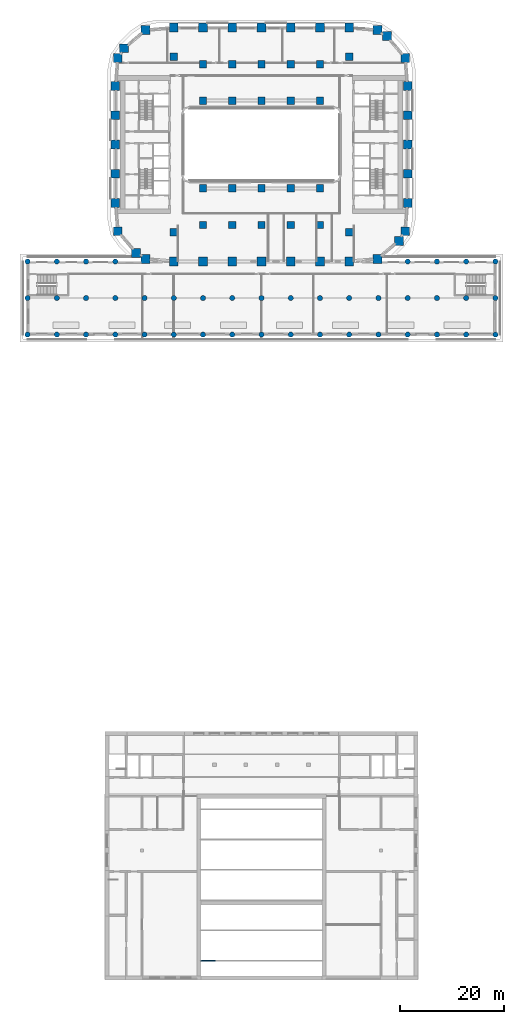
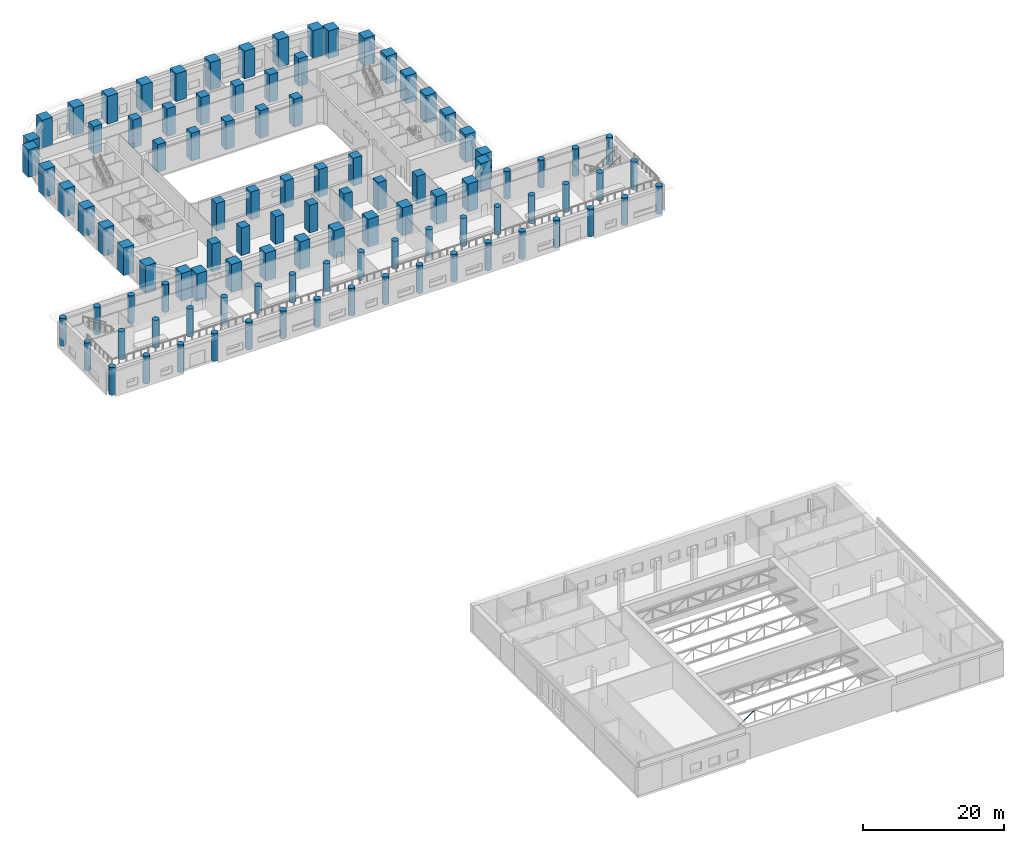
# One storey, part 2 of 35: 102 columns, 1 member.
"""IFC4 building model written with IfcOpenShell, lengths in metres."""

import ifcopenshell
import ifcopenshell.guid

model = None  # the IFC model being written
_history = None  # IfcOwnerHistory: only IFC2X3 demands one
_inside = {}  # id of a spatial element -> (the spatial element, [elements in it])
_under = {}  # id of a project, library or spatial element -> (it, [spatial elements below it])
_declared = {}  # id of a project -> (the project, [libraries it declares])
_typed = {}  # id of a type object -> (the type object, [elements of that type])
_made_of = {}  # id of a material, layer set ... -> (it, [elements and type objects made of it])


def new_model(schema):
    """Start an empty IFC model of exactly this schema.

    Asked for "IFC4X3", IfcOpenShell would pick the latest addendum, in which some entities
    have other attributes; the version numbers below select the first issue.
    IFC2X3 requires an IfcOwnerHistory on every rooted entity: one is made here for all.
    """
    global model, _history
    if schema == "IFC4X3":
        model = ifcopenshell.file(schema_version=(4, 3, 0, 0))
    else:
        model = ifcopenshell.file(schema=schema)
    _inside.clear()
    _under.clear()
    _declared.clear()
    _typed.clear()
    _made_of.clear()
    _history = None
    if model.schema == "IFC2X3":
        org = make("IfcOrganization", Name="unknown")
        user = make(
            "IfcPersonAndOrganization",
            ThePerson=make("IfcPerson", FamilyName="unknown"),
            TheOrganization=org,
        )
        app = make(
            "IfcApplication",
            ApplicationDeveloper=org,
            Version="unknown",
            ApplicationFullName="unknown",
            ApplicationIdentifier="unknown",
        )
        _history = make(
            "IfcOwnerHistory",
            OwningUser=user,
            OwningApplication=app,
            ChangeAction="ADDED",
            CreationDate=0,
        )
    return model


def make(cls, **values):
    """One entity of the class cls with the attributes given. An attribute that is None is left unset."""
    return model.create_entity(
        cls, **{name: value for name, value in values.items() if value is not None}
    )


def rooted(cls, **values):
    """An entity with a GlobalId (a new one), such as an element, a storey or a relation."""
    return make(cls, GlobalId=ifcopenshell.guid.new(), OwnerHistory=_history, **values)


def si_unit(unit_type, name, prefix=None):
    """IfcSIUnit, for example si_unit("LENGTHUNIT", "METRE", prefix="MILLI")."""
    return make("IfcSIUnit", UnitType=unit_type, Prefix=prefix, Name=name)


def assignment(units):
    """IfcUnitAssignment: the units of a project."""
    return None if units is None else make("IfcUnitAssignment", Units=units)


def point(xyz):
    """IfcCartesianPoint."""
    return None if xyz is None else make("IfcCartesianPoint", Coordinates=xyz)


def direction(xyz):
    """IfcDirection."""
    return None if xyz is None else make("IfcDirection", DirectionRatios=xyz)


def frame(location, z_axis=None, x_axis=None):
    """IfcAxis2Placement3D, a coordinate frame: its origin and axes. An axis left out is left unset."""
    return make(
        "IfcAxis2Placement3D",
        Location=point(location),
        Axis=direction(z_axis),
        RefDirection=direction(x_axis),
    )


def frame_2d(location, x_axis=None):
    """IfcAxis2Placement2D, a coordinate frame in the plane: its origin and x axis."""
    return make(
        "IfcAxis2Placement2D", Location=point(location), RefDirection=direction(x_axis)
    )


def origin():
    """The frame at (0, 0, 0) with its axes left unset."""
    return frame((0.0, 0.0, 0.0))


def origin_2d():
    """The frame at (0, 0) in the plane with its x axis left unset."""
    return frame_2d((0.0, 0.0))


def place(relative_to, where):
    """IfcLocalPlacement: puts the frame where relative to a parent placement (None: the world)."""
    return make(
        "IfcLocalPlacement", PlacementRelTo=relative_to, RelativePlacement=where
    )


def context(
    kind, dimensions, precision=None, world=None, true_north=None, identifier=None
):
    """IfcGeometricRepresentationContext, for example the 3D "Model" context."""
    return make(
        "IfcGeometricRepresentationContext",
        ContextIdentifier=identifier,
        ContextType=kind,
        CoordinateSpaceDimension=dimensions,
        Precision=precision,
        WorldCoordinateSystem=world,
        TrueNorth=true_north,
    )


def subcontext(parent, identifier, kind, view, scale=None):
    """IfcGeometricRepresentationSubContext, for example "Body" below "Model"."""
    return make(
        "IfcGeometricRepresentationSubContext",
        ContextIdentifier=identifier,
        ContextType=kind,
        ParentContext=parent,
        TargetScale=scale,
        TargetView=view,
    )


def project(units=None, contexts=None):
    """IfcProject with its units and contexts."""
    return rooted(
        "IfcProject",
        Name="project",
        RepresentationContexts=contexts,
        UnitsInContext=assignment(units),
    )


def spatial(cls, under=None, at=None, **own):
    """A site, building, storey or space (cls), placed at a placement, below another one or the project."""
    s = rooted(cls, ObjectPlacement=at, **own)
    if under is not None:
        _under.setdefault(under.id(), (under, []))[1].append(s)
    return s


def profile(cls, at=None, kind="AREA", **sizes):
    """A parametric profile (cls). Its sizes go by their IFC names, for example OverallWidth=200.0."""
    return make(cls, ProfileType=kind, Position=at, **sizes)


def rectangle(**sizes):
    """IfcRectangleProfileDef."""
    return profile("IfcRectangleProfileDef", **sizes)


def circle(**sizes):
    """IfcCircleProfileDef."""
    return profile("IfcCircleProfileDef", **sizes)


def hollow_circle(**sizes):
    """IfcCircleHollowProfileDef."""
    return profile("IfcCircleHollowProfileDef", **sizes)


def extrude(swept, where, along, depth):
    """IfcExtrudedAreaSolid: the profile swept, set in the frame where, extruded along a direction by depth."""
    return make(
        "IfcExtrudedAreaSolid",
        SweptArea=swept,
        Position=where,
        ExtrudedDirection=direction(along),
        Depth=depth,
    )


def shape(context_of_items, identifier, shape_type, items):
    """IfcShapeRepresentation: the items that make up one representation, for example the "Body"."""
    return make(
        "IfcShapeRepresentation",
        ContextOfItems=context_of_items,
        RepresentationIdentifier=identifier,
        RepresentationType=shape_type,
        Items=items,
    )


def material(Name=None, Category=None):
    """IfcMaterial."""
    return make("IfcMaterial", Name=Name, Category=Category)


def material_profile(
    of_material, cross_section, Name=None, Category=None, Priority=None
):
    """IfcMaterialProfile: a cross section and its material."""
    return make(
        "IfcMaterialProfile",
        Name=Name,
        Material=of_material,
        Profile=cross_section,
        Priority=Priority,
        Category=Category,
    )


def profile_set(profiles, Name=None, composite=None):
    """IfcMaterialProfileSet."""
    return make(
        "IfcMaterialProfileSet",
        Name=Name,
        MaterialProfiles=profiles,
        CompositeProfile=composite,
    )


def made_of(thing, what):
    """Note that an element or type object is made of a material, layer set ...; save() writes the relation."""
    if what is not None:
        _made_of.setdefault(what.id(), (what, []))[1].append(thing)
    return thing


def type_object(cls, material=None, **own):
    """A type object (cls), such as IfcWallType, which elements share."""
    return made_of(rooted(cls, **own), material)


def element(
    cls,
    number,
    at=None,
    inside=None,
    cuts=None,
    type_object=None,
    material=None,
    context=None,
    identifier="Body",
    shape_type=None,
    held_by="IfcProductDefinitionShape",
    body=None,
    shapes=None,
    **own,
):
    """One element of the class cls, such as IfcWall. Its Tag is "e" and its number.

    at: its placement. inside: the storey or other place that contains it. cuts: it is an
    opening in that element (IfcRelVoidsElement). A single representation is given by context,
    identifier, shape_type and body (its items); several are given by shapes. held_by: the class
    of the entity that holds the representations. save() writes the other relations.
    """
    e = rooted(cls, Tag="e%d" % number, ObjectPlacement=at, **own)
    if body is not None:
        shapes = [shape(context, identifier, shape_type, body)]
    if shapes is not None:
        e.Representation = make(held_by, Representations=shapes)
    if inside is not None:
        _inside.setdefault(inside.id(), (inside, []))[1].append(e)
    if cuts is not None:
        rooted(
            "IfcRelVoidsElement", RelatingBuildingElement=cuts, RelatedOpeningElement=e
        )
    if type_object is not None:
        _typed.setdefault(type_object.id(), (type_object, []))[1].append(e)
    return made_of(e, material)


def aggregate(whole, parts):
    """IfcRelAggregates: a whole, such as a stair, and the parts it consists of."""
    return rooted("IfcRelAggregates", RelatingObject=whole, RelatedObjects=parts)


def save(model, path):
    """Write the relations noted so far, then the file.

    IfcRelAggregates (storeys below a building ...), IfcRelContainedInSpatialStructure (elements
    in a storey), IfcRelDefinesByType, IfcRelAssociatesMaterial and IfcRelDeclares: one each for
    every whole, place, type object, material and project.
    """
    for whole, parts in _under.values():
        aggregate(whole, parts)
    for where, things in _inside.values():
        rooted(
            "IfcRelContainedInSpatialStructure",
            RelatedElements=things,
            RelatingStructure=where,
        )
    for kind, things in _typed.values():
        rooted("IfcRelDefinesByType", RelatedObjects=things, RelatingType=kind)
    for what, things in _made_of.values():
        rooted("IfcRelAssociatesMaterial", RelatedObjects=things, RelatingMaterial=what)
    for by, libraries in _declared.values():
        rooted("IfcRelDeclares", RelatingContext=by, RelatedDefinitions=libraries)
    model.write(path)


model = new_model("IFC4")

# Units and contexts
model_context = context("Model", 3, precision=1e-05, world=origin(), true_north=direction((0.0, 1.0)))
body_context = subcontext(model_context, "Body", "Model", "MODEL_VIEW")
ifc_project = project(units=[si_unit("LENGTHUNIT", "METRE"), si_unit("AREAUNIT", "SQUARE_METRE"), si_unit("VOLUMEUNIT", "CUBIC_METRE"), si_unit("PLANEANGLEUNIT", "RADIAN"), si_unit("MASSUNIT", "GRAM", prefix="KILO")], contexts=[model_context])

# Site, building, storey
site_placement = place(None, origin())
site = spatial("IfcSite", under=ifc_project, at=site_placement, CompositionType="ELEMENT")
building_placement = place(site_placement, origin())
building = spatial("IfcBuilding", under=site, at=building_placement, Name="Kiln Ring Residences", CompositionType="ELEMENT")
storey_placement = place(building_placement, frame((0.0, 0.0, 20.89990234375)))
storey = spatial("IfcBuildingStorey", under=building, at=storey_placement, Name="L04", CompositionType="ELEMENT", Elevation=20.89990234375)

# Columns
ifc_material_1 = material(Name="Concrete C80/95", Category="concrete")
ifc_material_profile_1 = material_profile(ifc_material_1, rectangle(XDim=1.39990234375, YDim=1.39990234375, at=origin_2d()), Name="RC1400x1400")
ifc_profile_set_1 = profile_set([ifc_material_profile_1], Name="Concrete C80/95")
column_type_1 = type_object("IfcColumnType", Name="Corridor column RC1400x1400 C80/95", PredefinedType="COLUMN", material=ifc_profile_set_1)
for number, where, z_axis, x_axis, name in (
    (1, (-11.199951171875, 15.39990234375, 0.0), (0.0, 0.0, 1.0), (1.0, 0.0, 0.0), "Corridor column L04 1"),
    (2, (-5.60009765625, 15.39990234375, 0.0), (0.0, 0.0, 1.0), (1.0, 0.0, 0.0), "Corridor column L04 2"),
    (3, (0.0, 15.39990234375, 0.0), (0.0, 0.0, 1.0), (1.0, 0.0, 0.0), "Corridor column L04 3"),
    (4, (5.60009765625, 15.39990234375, 0.0), (0.0, 0.0, 1.0), (1.0, 0.0, 0.0), "Corridor column L04 4"),
    (5, (11.199951171875, 15.39990234375, 0.0), (0.0, 0.0, 1.0), (1.0, 0.0, 0.0), "Corridor column L04 5"),
    (6, (-11.199951171875, -15.39990234375, 0.0), (0.0, 0.0, 1.0), (1.0, 0.0, 0.0), "Corridor column L04 6"),
    (7, (-5.60009765625, -15.39990234375, 0.0), (0.0, 0.0, 1.0), (1.0, 0.0, 0.0), "Corridor column L04 7"),
    (8, (0.0, -15.39990234375, 0.0), (0.0, 0.0, 1.0), (1.0, 0.0, 0.0), "Corridor column L04 8"),
    (9, (5.60009765625, -15.39990234375, 0.0), (0.0, 0.0, 1.0), (1.0, 0.0, 0.0), "Corridor column L04 9"),
    (10, (11.199951171875, -15.39990234375, 0.0), (0.0, 0.0, 1.0), (1.0, 0.0, 0.0), "Corridor column L04 10"),
):
    element("IfcColumn", number, at=place(storey_placement, frame(where, z_axis=z_axis, x_axis=x_axis)), inside=storey, type_object=column_type_1, Name=name, PredefinedType="COLUMN", context=body_context, shape_type="SweptSolid", body=[
        extrude(rectangle(XDim=1.39990234375, YDim=1.39990234375, at=origin_2d()), origin(), (0.0, 0.0, 1.0), 4.800048828125),
    ])
ifc_material_2 = material(Name="Concrete C80/95", Category="concrete")
ifc_material_profile_2 = material_profile(ifc_material_2, rectangle(XDim=1.699951171875, YDim=1.699951171875, at=origin_2d()), Name="RC1700x1700")
ifc_profile_set_2 = profile_set([ifc_material_profile_2], Name="Concrete C80/95")
column_type_2 = type_object("IfcColumnType", Name="Perimeter column RC1700x1700 C80/95", PredefinedType="COLUMN", material=ifc_profile_set_2)
for number, where, z_axis, x_axis, name in (
    (11, (-22.208740234375, -21.93798828125, 0.0), (0.0, 0.0, 1.0), (1.0, 0.0, 0.0), "Perimeter column L04 1"),
    (12, (-16.800048828125, -22.39990234375, 0.0), (0.0, 0.0, 1.0), (1.0, 0.0, 0.0), "Perimeter column L04 2"),
    (13, (-11.199951171875, -22.39990234375, 0.0), (0.0, 0.0, 1.0), (1.0, 0.0, 0.0), "Perimeter column L04 3"),
    (14, (-5.60009765625, -22.39990234375, 0.0), (0.0, 0.0, 1.0), (1.0, 0.0, 0.0), "Perimeter column L04 4"),
    (15, (0.0, -22.39990234375, 0.0), (0.0, 0.0, 1.0), (1.0, 0.0, 0.0), "Perimeter column L04 5"),
    (16, (5.60009765625, -22.39990234375, 0.0), (0.0, 0.0, 1.0), (1.0, 0.0, 0.0), "Perimeter column L04 6"),
    (17, (11.199951171875, -22.39990234375, 0.0), (0.0, 0.0, 1.0), (1.0, 0.0, 0.0), "Perimeter column L04 7"),
    (18, (16.800048828125, -22.39990234375, 0.0), (0.0, 0.0, 1.0), (1.0, 0.0, 0.0), "Perimeter column L04 8"),
    (19, (22.208740234375, -21.93798828125, 0.0), (0.0, 0.0, 1.0), (1.0, 0.0, 0.0), "Perimeter column L04 9"),
    (20, (26.35986328125, -18.440185546875, 0.0), (0.0, 0.0, 1.0), (1.0, 0.0, 0.0), "Perimeter column L04 10"),
    (21, (27.5380859375, -16.608642578125, 0.0), (0.0, 0.0, 1.0), (1.0, 0.0, 0.0), "Perimeter column L04 11"),
    (22, (28.0, -11.199951171875, 0.0), (0.0, 0.0, 1.0), (1.0, 0.0, 0.0), "Perimeter column L04 12"),
    (23, (28.0, -5.60009765625, 0.0), (0.0, 0.0, 1.0), (1.0, 0.0, 0.0), "Perimeter column L04 13"),
    (24, (28.0, 0.0, 0.0), (0.0, 0.0, 1.0), (1.0, 0.0, 0.0), "Perimeter column L04 14"),
    (25, (28.0, 5.60009765625, 0.0), (0.0, 0.0, 1.0), (1.0, 0.0, 0.0), "Perimeter column L04 15"),
    (26, (28.0, 11.199951171875, 0.0), (0.0, 0.0, 1.0), (1.0, 0.0, 0.0), "Perimeter column L04 16"),
    (27, (27.5380859375, 16.608642578125, 0.0), (0.0, 0.0, 1.0), (1.0, 0.0, 0.0), "Perimeter column L04 17"),
    (28, (24.040283203125, 20.759765625, 0.0), (0.0, 0.0, 1.0), (1.0, 0.0, 0.0), "Perimeter column L04 18"),
    (29, (22.208740234375, 21.93798828125, 0.0), (0.0, 0.0, 1.0), (1.0, 0.0, 0.0), "Perimeter column L04 19"),
    (30, (16.800048828125, 22.39990234375, 0.0), (0.0, 0.0, 1.0), (1.0, 0.0, 0.0), "Perimeter column L04 20"),
    (31, (11.199951171875, 22.39990234375, 0.0), (0.0, 0.0, 1.0), (1.0, 0.0, 0.0), "Perimeter column L04 21"),
    (32, (5.60009765625, 22.39990234375, 0.0), (0.0, 0.0, 1.0), (1.0, 0.0, 0.0), "Perimeter column L04 22"),
    (33, (0.0, 22.39990234375, 0.0), (0.0, 0.0, 1.0), (1.0, 0.0, 0.0), "Perimeter column L04 23"),
    (34, (-5.60009765625, 22.39990234375, 0.0), (0.0, 0.0, 1.0), (1.0, 0.0, 0.0), "Perimeter column L04 24"),
    (35, (-11.199951171875, 22.39990234375, 0.0), (0.0, 0.0, 1.0), (1.0, 0.0, 0.0), "Perimeter column L04 25"),
    (36, (-16.800048828125, 22.39990234375, 0.0), (0.0, 0.0, 1.0), (1.0, 0.0, 0.0), "Perimeter column L04 26"),
    (37, (-22.208740234375, 21.93798828125, 0.0), (0.0, 0.0, 1.0), (1.0, 0.0, 0.0), "Perimeter column L04 27"),
    (38, (-26.35986328125, 18.440185546875, 0.0), (0.0, 0.0, 1.0), (1.0, 0.0, 0.0), "Perimeter column L04 28"),
    (39, (-27.5380859375, 16.608642578125, 0.0), (0.0, 0.0, 1.0), (1.0, 0.0, 0.0), "Perimeter column L04 29"),
    (40, (-28.0, 11.199951171875, 0.0), (0.0, 0.0, 1.0), (1.0, 0.0, 0.0), "Perimeter column L04 30"),
    (41, (-28.0, 5.60009765625, 0.0), (0.0, 0.0, 1.0), (1.0, 0.0, 0.0), "Perimeter column L04 31"),
    (42, (-28.0, 0.0, 0.0), (0.0, 0.0, 1.0), (1.0, 0.0, 0.0), "Perimeter column L04 32"),
    (43, (-28.0, -5.60009765625, 0.0), (0.0, 0.0, 1.0), (1.0, 0.0, 0.0), "Perimeter column L04 33"),
    (44, (-28.0, -11.199951171875, 0.0), (0.0, 0.0, 1.0), (1.0, 0.0, 0.0), "Perimeter column L04 34"),
    (45, (-27.5380859375, -16.608642578125, 0.0), (0.0, 0.0, 1.0), (1.0, 0.0, 0.0), "Perimeter column L04 35"),
    (46, (-24.040283203125, -20.759765625, 0.0), (0.0, 0.0, 1.0), (1.0, 0.0, 0.0), "Perimeter column L04 36"),
):
    element("IfcColumn", number, at=place(storey_placement, frame(where, z_axis=z_axis, x_axis=x_axis)), inside=storey, type_object=column_type_2, Name=name, PredefinedType="COLUMN", context=body_context, shape_type="SweptSolid", body=[
        extrude(rectangle(XDim=1.699951171875, YDim=1.699951171875, at=origin_2d()), origin(), (0.0, 0.0, 1.0), 4.800048828125),
    ])
ifc_material_3 = material(Name="Concrete C80/95", Category="concrete")
ifc_material_profile_3 = material_profile(ifc_material_3, circle(Radius=0.5, at=origin_2d()), Name="RCD1000")
ifc_profile_set_3 = profile_set([ifc_material_profile_3], Name="Concrete C80/95")
column_type_3 = type_object("IfcColumnType", Name="Podium column RCD1000 C80/95", PredefinedType="COLUMN", material=ifc_profile_set_3)
for number, where, z_axis, x_axis, name in (
    (47, (-44.800048828125, -29.39990234375, 0.0), (0.0, 0.0, 1.0), (1.0, 0.0, 0.0), "Podium column L04 1"),
    (48, (-39.199951171875, -29.39990234375, 0.0), (0.0, 0.0, 1.0), (1.0, 0.0, 0.0), "Podium column L04 2"),
    (49, (-33.60009765625, -29.39990234375, 0.0), (0.0, 0.0, 1.0), (1.0, 0.0, 0.0), "Podium column L04 3"),
    (50, (-28.0, -29.39990234375, 0.0), (0.0, 0.0, 1.0), (1.0, 0.0, 0.0), "Podium column L04 4"),
    (51, (-22.39990234375, -29.39990234375, 0.0), (0.0, 0.0, 1.0), (1.0, 0.0, 0.0), "Podium column L04 5"),
    (52, (-16.800048828125, -29.39990234375, 0.0), (0.0, 0.0, 1.0), (1.0, 0.0, 0.0), "Podium column L04 6"),
    (53, (-11.199951171875, -29.39990234375, 0.0), (0.0, 0.0, 1.0), (1.0, 0.0, 0.0), "Podium column L04 7"),
    (54, (-5.60009765625, -29.39990234375, 0.0), (0.0, 0.0, 1.0), (1.0, 0.0, 0.0), "Podium column L04 8"),
    (55, (0.0, -29.39990234375, 0.0), (0.0, 0.0, 1.0), (1.0, 0.0, 0.0), "Podium column L04 9"),
    (56, (5.60009765625, -29.39990234375, 0.0), (0.0, 0.0, 1.0), (1.0, 0.0, 0.0), "Podium column L04 10"),
    (57, (11.199951171875, -29.39990234375, 0.0), (0.0, 0.0, 1.0), (1.0, 0.0, 0.0), "Podium column L04 11"),
    (58, (16.800048828125, -29.39990234375, 0.0), (0.0, 0.0, 1.0), (1.0, 0.0, 0.0), "Podium column L04 12"),
    (59, (22.39990234375, -29.39990234375, 0.0), (0.0, 0.0, 1.0), (1.0, 0.0, 0.0), "Podium column L04 13"),
    (60, (28.0, -29.39990234375, 0.0), (0.0, 0.0, 1.0), (1.0, 0.0, 0.0), "Podium column L04 14"),
    (61, (33.60009765625, -29.39990234375, 0.0), (0.0, 0.0, 1.0), (1.0, 0.0, 0.0), "Podium column L04 15"),
    (62, (39.199951171875, -29.39990234375, 0.0), (0.0, 0.0, 1.0), (1.0, 0.0, 0.0), "Podium column L04 16"),
    (63, (44.800048828125, -29.39990234375, 0.0), (0.0, 0.0, 1.0), (1.0, 0.0, 0.0), "Podium column L04 17"),
    (64, (-44.800048828125, -36.39990234375, 0.0), (0.0, 0.0, 1.0), (1.0, 0.0, 0.0), "Podium column L04 18"),
    (65, (-39.199951171875, -36.39990234375, 0.0), (0.0, 0.0, 1.0), (1.0, 0.0, 0.0), "Podium column L04 19"),
    (66, (-33.60009765625, -36.39990234375, 0.0), (0.0, 0.0, 1.0), (1.0, 0.0, 0.0), "Podium column L04 20"),
    (67, (-28.0, -36.39990234375, 0.0), (0.0, 0.0, 1.0), (1.0, 0.0, 0.0), "Podium column L04 21"),
    (68, (-22.39990234375, -36.39990234375, 0.0), (0.0, 0.0, 1.0), (1.0, 0.0, 0.0), "Podium column L04 22"),
    (69, (-16.800048828125, -36.39990234375, 0.0), (0.0, 0.0, 1.0), (1.0, 0.0, 0.0), "Podium column L04 23"),
    (70, (-11.199951171875, -36.39990234375, 0.0), (0.0, 0.0, 1.0), (1.0, 0.0, 0.0), "Podium column L04 24"),
    (71, (-5.60009765625, -36.39990234375, 0.0), (0.0, 0.0, 1.0), (1.0, 0.0, 0.0), "Podium column L04 25"),
    (72, (0.0, -36.39990234375, 0.0), (0.0, 0.0, 1.0), (1.0, 0.0, 0.0), "Podium column L04 26"),
    (73, (5.60009765625, -36.39990234375, 0.0), (0.0, 0.0, 1.0), (1.0, 0.0, 0.0), "Podium column L04 27"),
    (74, (11.199951171875, -36.39990234375, 0.0), (0.0, 0.0, 1.0), (1.0, 0.0, 0.0), "Podium column L04 28"),
    (75, (16.800048828125, -36.39990234375, 0.0), (0.0, 0.0, 1.0), (1.0, 0.0, 0.0), "Podium column L04 29"),
    (76, (22.39990234375, -36.39990234375, 0.0), (0.0, 0.0, 1.0), (1.0, 0.0, 0.0), "Podium column L04 30"),
    (77, (28.0, -36.39990234375, 0.0), (0.0, 0.0, 1.0), (1.0, 0.0, 0.0), "Podium column L04 31"),
    (78, (33.60009765625, -36.39990234375, 0.0), (0.0, 0.0, 1.0), (1.0, 0.0, 0.0), "Podium column L04 32"),
    (79, (39.199951171875, -36.39990234375, 0.0), (0.0, 0.0, 1.0), (1.0, 0.0, 0.0), "Podium column L04 33"),
    (80, (44.800048828125, -36.39990234375, 0.0), (0.0, 0.0, 1.0), (1.0, 0.0, 0.0), "Podium column L04 34"),
    (81, (-44.800048828125, -22.39990234375, 0.0), (0.0, 0.0, 1.0), (1.0, 0.0, 0.0), "Podium column L04 35"),
    (82, (-39.199951171875, -22.39990234375, 0.0), (0.0, 0.0, 1.0), (1.0, 0.0, 0.0), "Podium column L04 36"),
    (83, (-33.60009765625, -22.39990234375, 0.0), (0.0, 0.0, 1.0), (1.0, 0.0, 0.0), "Podium column L04 37"),
    (84, (-28.0, -22.39990234375, 0.0), (0.0, 0.0, 1.0), (1.0, 0.0, 0.0), "Podium column L04 38"),
    (85, (28.0, -22.39990234375, 0.0), (0.0, 0.0, 1.0), (1.0, 0.0, 0.0), "Podium column L04 39"),
    (86, (33.60009765625, -22.39990234375, 0.0), (0.0, 0.0, 1.0), (1.0, 0.0, 0.0), "Podium column L04 40"),
    (87, (39.199951171875, -22.39990234375, 0.0), (0.0, 0.0, 1.0), (1.0, 0.0, 0.0), "Podium column L04 41"),
    (88, (44.800048828125, -22.39990234375, 0.0), (0.0, 0.0, 1.0), (1.0, 0.0, 0.0), "Podium column L04 42"),
):
    element("IfcColumn", number, at=place(storey_placement, frame(where, z_axis=z_axis, x_axis=x_axis)), inside=storey, type_object=column_type_3, Name=name, PredefinedType="COLUMN", context=body_context, shape_type="SweptSolid", body=[
        extrude(circle(Radius=0.5, at=origin_2d()), origin(), (0.0, 0.0, 1.0), 4.800048828125),
    ])
ifc_material_4 = material(Name="Concrete C80/95", Category="concrete")
ifc_material_profile_4 = material_profile(ifc_material_4, rectangle(XDim=1.39990234375, YDim=1.39990234375, at=origin_2d()), Name="RC1400x1400")
ifc_profile_set_4 = profile_set([ifc_material_profile_4], Name="Concrete C80/95")
column_type_4 = type_object("IfcColumnType", Name="Ring column RC1400x1400 C80/95", PredefinedType="COLUMN", material=ifc_profile_set_4)
for number, where, z_axis, x_axis, name in (
    (89, (-16.800048828125, -16.800048828125, 0.0), (0.0, 0.0, 1.0), (1.0, 0.0, 0.0), "Ring column L04 1"),
    (90, (-16.800048828125, 16.800048828125, 0.0), (0.0, 0.0, 1.0), (1.0, 0.0, 0.0), "Ring column L04 2"),
    (91, (-11.199951171875, -8.39990234375, 0.0), (0.0, 0.0, 1.0), (1.0, 0.0, 0.0), "Ring column L04 3"),
    (92, (-11.199951171875, 8.39990234375, 0.0), (0.0, 0.0, 1.0), (1.0, 0.0, 0.0), "Ring column L04 4"),
    (93, (-5.60009765625, -8.39990234375, 0.0), (0.0, 0.0, 1.0), (1.0, 0.0, 0.0), "Ring column L04 5"),
    (94, (-5.60009765625, 8.39990234375, 0.0), (0.0, 0.0, 1.0), (1.0, 0.0, 0.0), "Ring column L04 6"),
    (95, (0.0, -8.39990234375, 0.0), (0.0, 0.0, 1.0), (1.0, 0.0, 0.0), "Ring column L04 7"),
    (96, (0.0, 8.39990234375, 0.0), (0.0, 0.0, 1.0), (1.0, 0.0, 0.0), "Ring column L04 8"),
    (97, (5.60009765625, -8.39990234375, 0.0), (0.0, 0.0, 1.0), (1.0, 0.0, 0.0), "Ring column L04 9"),
    (98, (5.60009765625, 8.39990234375, 0.0), (0.0, 0.0, 1.0), (1.0, 0.0, 0.0), "Ring column L04 10"),
    (99, (11.199951171875, -8.39990234375, 0.0), (0.0, 0.0, 1.0), (1.0, 0.0, 0.0), "Ring column L04 11"),
    (100, (11.199951171875, 8.39990234375, 0.0), (0.0, 0.0, 1.0), (1.0, 0.0, 0.0), "Ring column L04 12"),
    (101, (16.800048828125, -16.800048828125, 0.0), (0.0, 0.0, 1.0), (1.0, 0.0, 0.0), "Ring column L04 13"),
    (102, (16.800048828125, 16.800048828125, 0.0), (0.0, 0.0, 1.0), (1.0, 0.0, 0.0), "Ring column L04 14"),
):
    element("IfcColumn", number, at=place(storey_placement, frame(where, z_axis=z_axis, x_axis=x_axis)), inside=storey, type_object=column_type_4, Name=name, PredefinedType="COLUMN", context=body_context, shape_type="SweptSolid", body=[
        extrude(rectangle(XDim=1.39990234375, YDim=1.39990234375, at=origin_2d()), origin(), (0.0, 0.0, 1.0), 4.800048828125),
    ])

# Member
ifc_material_5 = material(Name="Structural steel ASTM A500 Gr. C", Category="steel")
ifc_material_profile_5 = material_profile(ifc_material_5, hollow_circle(Radius=0.084228515625, WallThickness=0.007080078125, at=origin_2d()), Name="HSS168x7.1")
ifc_profile_set_5 = profile_set([ifc_material_profile_5], Name="Structural steel ASTM A500 Gr. C")
member_type = type_object("IfcMemberType", Name="Hall roof truss diagonal HSS168x7.1", PredefinedType="BRACE", material=ifc_profile_set_5)
member_placement = place(storey_placement, frame((-11.60009765625, -156.300048828125, 3.22509765625), z_axis=(0.820958725483, 0.0, 0.570987540192), x_axis=(0.0, 1.0, 0.0)))
element("IfcMember", 103, at=member_placement, inside=storey, type_object=member_type, Name="Hall truss 1 diagonal 1", PredefinedType="BRACE", context=body_context, shape_type="SweptSolid", body=[
    extrude(hollow_circle(Radius=0.084228515625, WallThickness=0.007080078125, at=origin_2d()), origin(), (0.0, 0.0, 1.0), 3.53271484375),
])

save(model, "model.ifc")
